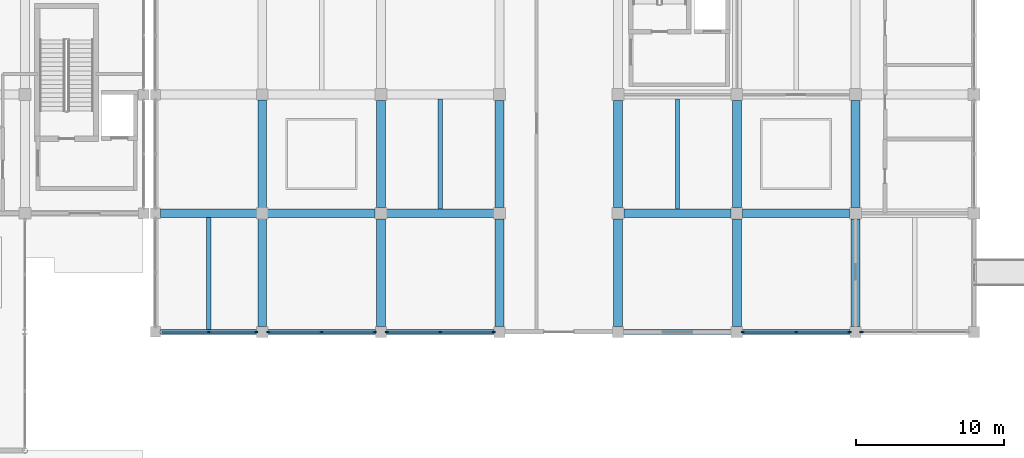
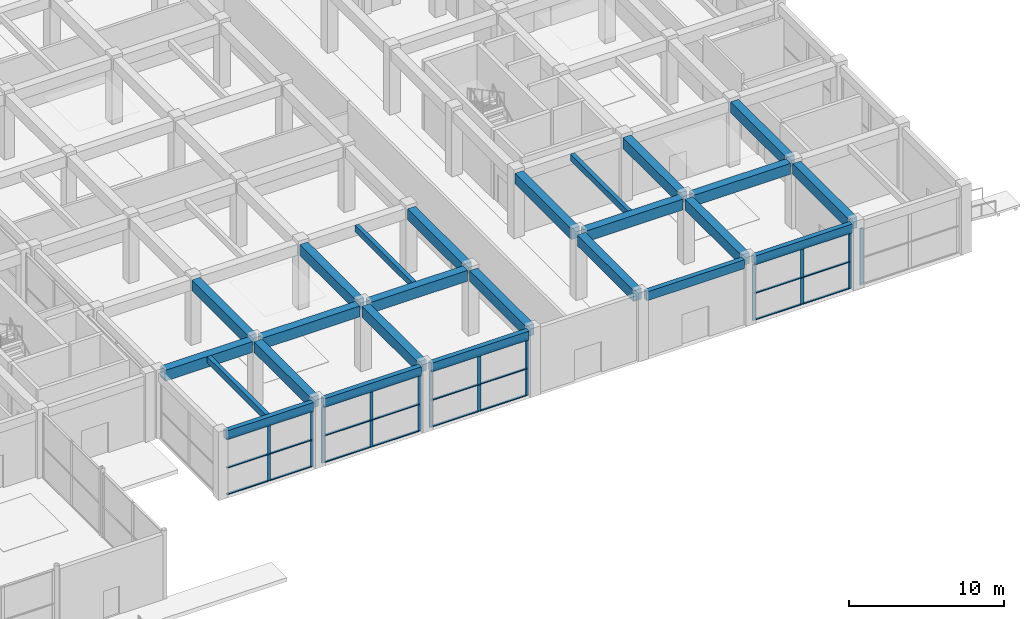
# One storey, part 35 of 86: 36 members, 25 beams, 5 elements without a shape of their own.
"""IFC4 building model written with IfcOpenShell, lengths in metres."""

import ifcopenshell
import ifcopenshell.guid

model = None  # the IFC model being written
_history = None  # IfcOwnerHistory: only IFC2X3 demands one
_inside = {}  # id of a spatial element -> (the spatial element, [elements in it])
_under = {}  # id of a project, library or spatial element -> (it, [spatial elements below it])
_declared = {}  # id of a project -> (the project, [libraries it declares])
_typed = {}  # id of a type object -> (the type object, [elements of that type])
_made_of = {}  # id of a material, layer set ... -> (it, [elements and type objects made of it])


def new_model(schema):
    """Start an empty IFC model of exactly this schema.

    Asked for "IFC4X3", IfcOpenShell would pick the latest addendum, in which some entities
    have other attributes; the version numbers below select the first issue.
    IFC2X3 requires an IfcOwnerHistory on every rooted entity: one is made here for all.
    """
    global model, _history
    if schema == "IFC4X3":
        model = ifcopenshell.file(schema_version=(4, 3, 0, 0))
    else:
        model = ifcopenshell.file(schema=schema)
    _inside.clear()
    _under.clear()
    _declared.clear()
    _typed.clear()
    _made_of.clear()
    _history = None
    if model.schema == "IFC2X3":
        org = make("IfcOrganization", Name="unknown")
        user = make(
            "IfcPersonAndOrganization",
            ThePerson=make("IfcPerson", FamilyName="unknown"),
            TheOrganization=org,
        )
        app = make(
            "IfcApplication",
            ApplicationDeveloper=org,
            Version="unknown",
            ApplicationFullName="unknown",
            ApplicationIdentifier="unknown",
        )
        _history = make(
            "IfcOwnerHistory",
            OwningUser=user,
            OwningApplication=app,
            ChangeAction="ADDED",
            CreationDate=0,
        )
    return model


def make(cls, **values):
    """One entity of the class cls with the attributes given. An attribute that is None is left unset."""
    return model.create_entity(
        cls, **{name: value for name, value in values.items() if value is not None}
    )


def rooted(cls, **values):
    """An entity with a GlobalId (a new one), such as an element, a storey or a relation."""
    return make(cls, GlobalId=ifcopenshell.guid.new(), OwnerHistory=_history, **values)


def si_unit(unit_type, name, prefix=None):
    """IfcSIUnit, for example si_unit("LENGTHUNIT", "METRE", prefix="MILLI")."""
    return make("IfcSIUnit", UnitType=unit_type, Prefix=prefix, Name=name)


def assignment(units):
    """IfcUnitAssignment: the units of a project."""
    return None if units is None else make("IfcUnitAssignment", Units=units)


def point(xyz):
    """IfcCartesianPoint."""
    return None if xyz is None else make("IfcCartesianPoint", Coordinates=xyz)


def direction(xyz):
    """IfcDirection."""
    return None if xyz is None else make("IfcDirection", DirectionRatios=xyz)


def frame(location, z_axis=None, x_axis=None):
    """IfcAxis2Placement3D, a coordinate frame: its origin and axes. An axis left out is left unset."""
    return make(
        "IfcAxis2Placement3D",
        Location=point(location),
        Axis=direction(z_axis),
        RefDirection=direction(x_axis),
    )


def frame_2d(location, x_axis=None):
    """IfcAxis2Placement2D, a coordinate frame in the plane: its origin and x axis."""
    return make(
        "IfcAxis2Placement2D", Location=point(location), RefDirection=direction(x_axis)
    )


def origin():
    """The frame at (0, 0, 0) with its axes left unset."""
    return frame((0.0, 0.0, 0.0))


def origin_2d():
    """The frame at (0, 0) in the plane with its x axis left unset."""
    return frame_2d((0.0, 0.0))


def place(relative_to, where):
    """IfcLocalPlacement: puts the frame where relative to a parent placement (None: the world)."""
    return make(
        "IfcLocalPlacement", PlacementRelTo=relative_to, RelativePlacement=where
    )


def context(
    kind, dimensions, precision=None, world=None, true_north=None, identifier=None
):
    """IfcGeometricRepresentationContext, for example the 3D "Model" context."""
    return make(
        "IfcGeometricRepresentationContext",
        ContextIdentifier=identifier,
        ContextType=kind,
        CoordinateSpaceDimension=dimensions,
        Precision=precision,
        WorldCoordinateSystem=world,
        TrueNorth=true_north,
    )


def subcontext(parent, identifier, kind, view, scale=None):
    """IfcGeometricRepresentationSubContext, for example "Body" below "Model"."""
    return make(
        "IfcGeometricRepresentationSubContext",
        ContextIdentifier=identifier,
        ContextType=kind,
        ParentContext=parent,
        TargetScale=scale,
        TargetView=view,
    )


def project(units=None, contexts=None):
    """IfcProject with its units and contexts."""
    return rooted(
        "IfcProject",
        Name="project",
        RepresentationContexts=contexts,
        UnitsInContext=assignment(units),
    )


def spatial(cls, under=None, at=None, **own):
    """A site, building, storey or space (cls), placed at a placement, below another one or the project."""
    s = rooted(cls, ObjectPlacement=at, **own)
    if under is not None:
        _under.setdefault(under.id(), (under, []))[1].append(s)
    return s


def profile(cls, at=None, kind="AREA", **sizes):
    """A parametric profile (cls). Its sizes go by their IFC names, for example OverallWidth=200.0."""
    return make(cls, ProfileType=kind, Position=at, **sizes)


def rectangle(**sizes):
    """IfcRectangleProfileDef."""
    return profile("IfcRectangleProfileDef", **sizes)


def extrude(swept, where, along, depth):
    """IfcExtrudedAreaSolid: the profile swept, set in the frame where, extruded along a direction by depth."""
    return make(
        "IfcExtrudedAreaSolid",
        SweptArea=swept,
        Position=where,
        ExtrudedDirection=direction(along),
        Depth=depth,
    )


def shape(context_of_items, identifier, shape_type, items):
    """IfcShapeRepresentation: the items that make up one representation, for example the "Body"."""
    return make(
        "IfcShapeRepresentation",
        ContextOfItems=context_of_items,
        RepresentationIdentifier=identifier,
        RepresentationType=shape_type,
        Items=items,
    )


def material(Name=None, Category=None):
    """IfcMaterial."""
    return make("IfcMaterial", Name=Name, Category=Category)


def material_profile(
    of_material, cross_section, Name=None, Category=None, Priority=None
):
    """IfcMaterialProfile: a cross section and its material."""
    return make(
        "IfcMaterialProfile",
        Name=Name,
        Material=of_material,
        Profile=cross_section,
        Priority=Priority,
        Category=Category,
    )


def profile_set(profiles, Name=None, composite=None):
    """IfcMaterialProfileSet."""
    return make(
        "IfcMaterialProfileSet",
        Name=Name,
        MaterialProfiles=profiles,
        CompositeProfile=composite,
    )


def made_of(thing, what):
    """Note that an element or type object is made of a material, layer set ...; save() writes the relation."""
    if what is not None:
        _made_of.setdefault(what.id(), (what, []))[1].append(thing)
    return thing


def type_object(cls, material=None, **own):
    """A type object (cls), such as IfcWallType, which elements share."""
    return made_of(rooted(cls, **own), material)


def element(
    cls,
    number,
    at=None,
    inside=None,
    cuts=None,
    type_object=None,
    material=None,
    context=None,
    identifier="Body",
    shape_type=None,
    held_by="IfcProductDefinitionShape",
    body=None,
    shapes=None,
    **own,
):
    """One element of the class cls, such as IfcWall. Its Tag is "e" and its number.

    at: its placement. inside: the storey or other place that contains it. cuts: it is an
    opening in that element (IfcRelVoidsElement). A single representation is given by context,
    identifier, shape_type and body (its items); several are given by shapes. held_by: the class
    of the entity that holds the representations. save() writes the other relations.
    """
    e = rooted(cls, Tag="e%d" % number, ObjectPlacement=at, **own)
    if body is not None:
        shapes = [shape(context, identifier, shape_type, body)]
    if shapes is not None:
        e.Representation = make(held_by, Representations=shapes)
    if inside is not None:
        _inside.setdefault(inside.id(), (inside, []))[1].append(e)
    if cuts is not None:
        rooted(
            "IfcRelVoidsElement", RelatingBuildingElement=cuts, RelatedOpeningElement=e
        )
    if type_object is not None:
        _typed.setdefault(type_object.id(), (type_object, []))[1].append(e)
    return made_of(e, material)


def aggregate(whole, parts):
    """IfcRelAggregates: a whole, such as a stair, and the parts it consists of."""
    return rooted("IfcRelAggregates", RelatingObject=whole, RelatedObjects=parts)


def save(model, path):
    """Write the relations noted so far, then the file.

    IfcRelAggregates (storeys below a building ...), IfcRelContainedInSpatialStructure (elements
    in a storey), IfcRelDefinesByType, IfcRelAssociatesMaterial and IfcRelDeclares: one each for
    every whole, place, type object, material and project.
    """
    for whole, parts in _under.values():
        aggregate(whole, parts)
    for where, things in _inside.values():
        rooted(
            "IfcRelContainedInSpatialStructure",
            RelatedElements=things,
            RelatingStructure=where,
        )
    for kind, things in _typed.values():
        rooted("IfcRelDefinesByType", RelatedObjects=things, RelatingType=kind)
    for what, things in _made_of.values():
        rooted("IfcRelAssociatesMaterial", RelatedObjects=things, RelatingMaterial=what)
    for by, libraries in _declared.values():
        rooted("IfcRelDeclares", RelatingContext=by, RelatedDefinitions=libraries)
    model.write(path)


model = new_model("IFC4")

# Units and contexts
model_context = context("Model", 3, precision=1e-05, world=origin(), true_north=direction((0.0, 1.0)))
body_context = subcontext(model_context, "Body", "Model", "MODEL_VIEW")
ifc_project = project(units=[si_unit("LENGTHUNIT", "METRE"), si_unit("AREAUNIT", "SQUARE_METRE"), si_unit("VOLUMEUNIT", "CUBIC_METRE"), si_unit("PLANEANGLEUNIT", "RADIAN"), si_unit("MASSUNIT", "GRAM", prefix="KILO")], contexts=[model_context])

# Site, building, storey
site_placement = place(None, origin())
site = spatial("IfcSite", under=ifc_project, at=site_placement, CompositionType="ELEMENT")
building_placement = place(site_placement, origin())
building = spatial("IfcBuilding", under=site, at=building_placement, Name="Kenh Van Central Station", CompositionType="ELEMENT")
storey_placement = place(building_placement, origin())
storey = spatial("IfcBuildingStorey", under=building, at=storey_placement, Name="L00", CompositionType="ELEMENT", Elevation=0.0)

# Beams
ifc_material_1 = material(Name="Concrete C35/45", Category="concrete")
ifc_material_profile_1 = material_profile(ifc_material_1, rectangle(XDim=0.60009765625, YDim=0.85009765625, at=origin_2d()), Name="RC 600x850")
ifc_profile_set_1 = profile_set([ifc_material_profile_1], Name="Concrete C35/45")
beam_type_1 = type_object("IfcBeamType", Name="BM-RC-600x850", PredefinedType="BEAM", material=ifc_profile_set_1)
beam_1_placement = place(storey_placement, frame((121.139892578125, 16.0, 4.695068359375), z_axis=(1.0, 0.0, 0.0), x_axis=(0.0, 1.0, 0.0)))
element("IfcBeam", 1, at=beam_1_placement, inside=storey, type_object=beam_type_1, Name="L00 beam 0373", PredefinedType="BEAM", context=body_context, shape_type="SweptSolid", body=[
    extrude(rectangle(XDim=0.60009765625, YDim=0.85009765625, at=origin_2d()), origin(), (0.0, 0.0, 1.0), 6.4951171875),
])
beam_2_placement = place(storey_placement, frame((128.364990234375, 16.0, 4.695068359375), z_axis=(1.0, 0.0, 0.0), x_axis=(0.0, 1.0, 0.0)))
element("IfcBeam", 2, at=beam_2_placement, inside=storey, type_object=beam_type_1, Name="L00 beam 0374", PredefinedType="BEAM", context=body_context, shape_type="SweptSolid", body=[
    extrude(rectangle(XDim=0.60009765625, YDim=0.85009765625, at=origin_2d()), origin(), (0.0, 0.0, 1.0), 7.2451171875),
])
for number, where, z_axis, x_axis, name in (
    (3, (136.389892578125, 16.0, 4.695068359375), (1.0, 0.0, 0.0), (0.0, 1.0, 0.0), "L00 beam 0375"),
    (4, (152.389892578125, 16.0, 4.695068359375), (1.0, 0.0, 0.0), (0.0, 1.0, 0.0), "L00 beam 0376"),
    (5, (160.389892578125, 16.0, 4.695068359375), (1.0, 0.0, 0.0), (0.0, 1.0, 0.0), "L00 beam 0377"),
):
    element("IfcBeam", number, at=place(storey_placement, frame(where, z_axis=z_axis, x_axis=x_axis)), inside=storey, type_object=beam_type_1, Name=name, PredefinedType="BEAM", context=body_context, shape_type="SweptSolid", body=[
        extrude(rectangle(XDim=0.60009765625, YDim=0.85009765625, at=origin_2d()), origin(), (0.0, 0.0, 1.0), 7.22021484375),
    ])
for number, where, z_axis, x_axis, name in (
    (6, (128.0, 8.364990234375, 4.695068359375), (0.0, 1.0, 0.0), (-1.0, 0.0, 0.0), "L00 beam 0519"),
    (7, (128.0, 16.364990234375, 4.695068359375), (0.0, 1.0, 0.0), (-1.0, 0.0, 0.0), "L00 beam 0520"),
):
    element("IfcBeam", number, at=place(storey_placement, frame(where, z_axis=z_axis, x_axis=x_axis)), inside=storey, type_object=beam_type_1, Name=name, PredefinedType="BEAM", context=body_context, shape_type="SweptSolid", body=[
        extrude(rectangle(XDim=0.60009765625, YDim=0.85009765625, at=origin_2d()), origin(), (0.0, 0.0, 1.0), 7.27001953125),
    ])
beam_3_placement = place(storey_placement, frame((136.0, 8.364990234375, 4.695068359375), z_axis=(0.0, 1.0, 0.0), x_axis=(-1.0, 0.0, 0.0)))
element("IfcBeam", 8, at=beam_3_placement, inside=storey, type_object=beam_type_1, Name="L00 beam 0526", PredefinedType="BEAM", context=body_context, shape_type="SweptSolid", body=[
    extrude(rectangle(XDim=0.60009765625, YDim=0.85009765625, at=origin_2d()), origin(), (0.0, 0.0, 1.0), 7.2451171875),
])
beam_4_placement = place(storey_placement, frame((136.0, 16.389892578125, 4.695068359375), z_axis=(0.0, 1.0, 0.0), x_axis=(-1.0, 0.0, 0.0)))
element("IfcBeam", 9, at=beam_4_placement, inside=storey, type_object=beam_type_1, Name="L00 beam 0527", PredefinedType="BEAM", context=body_context, shape_type="SweptSolid", body=[
    extrude(rectangle(XDim=0.60009765625, YDim=0.85009765625, at=origin_2d()), origin(), (0.0, 0.0, 1.0), 7.22021484375),
])
beam_5_placement = place(storey_placement, frame((144.0, 8.364990234375, 4.695068359375), z_axis=(0.0, 1.0, 0.0), x_axis=(-1.0, 0.0, 0.0)))
element("IfcBeam", 10, at=beam_5_placement, inside=storey, type_object=beam_type_1, Name="L00 beam 0533", PredefinedType="BEAM", context=body_context, shape_type="SweptSolid", body=[
    extrude(rectangle(XDim=0.60009765625, YDim=0.85009765625, at=origin_2d()), origin(), (0.0, 0.0, 1.0), 7.2451171875),
])
beam_6_placement = place(storey_placement, frame((144.0, 16.389892578125, 4.695068359375), z_axis=(0.0, 1.0, 0.0), x_axis=(-1.0, 0.0, 0.0)))
element("IfcBeam", 11, at=beam_6_placement, inside=storey, type_object=beam_type_1, Name="L00 beam 0534", PredefinedType="BEAM", context=body_context, shape_type="SweptSolid", body=[
    extrude(rectangle(XDim=0.60009765625, YDim=0.85009765625, at=origin_2d()), origin(), (0.0, 0.0, 1.0), 7.22021484375),
])
beam_7_placement = place(storey_placement, frame((152.0, 8.364990234375, 4.695068359375), z_axis=(0.0, 1.0, 0.0), x_axis=(-1.0, 0.0, 0.0)))
element("IfcBeam", 12, at=beam_7_placement, inside=storey, type_object=beam_type_1, Name="L00 beam 0544", PredefinedType="BEAM", context=body_context, shape_type="SweptSolid", body=[
    extrude(rectangle(XDim=0.60009765625, YDim=0.85009765625, at=origin_2d()), origin(), (0.0, 0.0, 1.0), 7.2451171875),
])
beam_8_placement = place(storey_placement, frame((152.0, 16.389892578125, 4.695068359375), z_axis=(0.0, 1.0, 0.0), x_axis=(-1.0, 0.0, 0.0)))
element("IfcBeam", 13, at=beam_8_placement, inside=storey, type_object=beam_type_1, Name="L00 beam 0545", PredefinedType="BEAM", context=body_context, shape_type="SweptSolid", body=[
    extrude(rectangle(XDim=0.60009765625, YDim=0.85009765625, at=origin_2d()), origin(), (0.0, 0.0, 1.0), 7.22021484375),
])
beam_9_placement = place(storey_placement, frame((160.0, 8.364990234375, 4.695068359375), z_axis=(0.0, 1.0, 0.0), x_axis=(-1.0, 0.0, 0.0)))
element("IfcBeam", 14, at=beam_9_placement, inside=storey, type_object=beam_type_1, Name="L00 beam 0555", PredefinedType="BEAM", context=body_context, shape_type="SweptSolid", body=[
    extrude(rectangle(XDim=0.60009765625, YDim=0.85009765625, at=origin_2d()), origin(), (0.0, 0.0, 1.0), 7.2451171875),
])
beam_10_placement = place(storey_placement, frame((160.0, 16.389892578125, 4.695068359375), z_axis=(0.0, 1.0, 0.0), x_axis=(-1.0, 0.0, 0.0)))
element("IfcBeam", 15, at=beam_10_placement, inside=storey, type_object=beam_type_1, Name="L00 beam 0556", PredefinedType="BEAM", context=body_context, shape_type="SweptSolid", body=[
    extrude(rectangle(XDim=0.60009765625, YDim=0.85009765625, at=origin_2d()), origin(), (0.0, 0.0, 1.0), 7.22021484375),
])
beam_11_placement = place(storey_placement, frame((168.0, 8.364990234375, 4.695068359375), z_axis=(0.0, 1.0, 0.0), x_axis=(-1.0, 0.0, 0.0)))
element("IfcBeam", 16, at=beam_11_placement, inside=storey, type_object=beam_type_1, Name="L00 beam 0566", PredefinedType="BEAM", context=body_context, shape_type="SweptSolid", body=[
    extrude(rectangle(XDim=0.60009765625, YDim=0.85009765625, at=origin_2d()), origin(), (0.0, 0.0, 1.0), 7.2451171875),
])
beam_12_placement = place(storey_placement, frame((168.0, 16.389892578125, 4.695068359375), z_axis=(0.0, 1.0, 0.0), x_axis=(-1.0, 0.0, 0.0)))
element("IfcBeam", 17, at=beam_12_placement, inside=storey, type_object=beam_type_1, Name="L00 beam 0567", PredefinedType="BEAM", context=body_context, shape_type="SweptSolid", body=[
    extrude(rectangle(XDim=0.60009765625, YDim=0.85009765625, at=origin_2d()), origin(), (0.0, 0.0, 1.0), 7.22021484375),
])

# Curtain wall, members
ifc_material_2 = material(Name="Champagne anodised aluminium", Category="aluminium")
curtain_wall_type = type_object("IfcCurtainWallType", Name="CW-OPER-A", PredefinedType="NOTDEFINED", material=ifc_material_2)
curtain_wall_1_placement = place(storey_placement, origin())
curtain_wall_1 = element("IfcCurtainWall", 18, at=curtain_wall_1_placement, inside=storey, type_object=curtain_wall_type, Name="L00 curtain wall 049", PredefinedType="NOTDEFINED")
ifc_material_profile_2 = material_profile(ifc_material_2, rectangle(XDim=0.087890625, YDim=0.239990234375, at=origin_2d()), Name="AL 88x240")
ifc_profile_set_2 = profile_set([ifc_material_profile_2], Name="Champagne anodised aluminium")
member_type_1 = type_object("IfcMemberType", Name="CWM-60x140", PredefinedType="MULLION", material=ifc_profile_set_2)
member_1_placement = place(storey_placement, frame((124.387451171875, 8.0, 0.0), z_axis=(0.0, 0.0, 1.0), x_axis=(0.0, 1.0, 0.0)))
member_1 = element("IfcMember", 19, at=member_1_placement, type_object=member_type_1, Name="CW-07 mullion 2", PredefinedType="MULLION", context=body_context, shape_type="SweptSolid", body=[
    extrude(rectangle(XDim=0.087890625, YDim=0.239990234375, at=origin_2d()), origin(), (0.0, 0.0, 1.0), 4.419921875),
])
member_2_placement = place(storey_placement, frame((127.5810546875, 8.0, 0.0), z_axis=(0.0, 0.0, 1.0), x_axis=(0.0, 1.0, 0.0)))
member_2 = element("IfcMember", 20, at=member_2_placement, type_object=member_type_1, Name="CW-07 mullion 3", PredefinedType="MULLION", context=body_context, shape_type="SweptSolid", body=[
    extrude(rectangle(XDim=0.087890625, YDim=0.239990234375, at=origin_2d()), origin(), (0.0, 0.0, 1.0), 4.419921875),
])

curtain_wall_2_placement = place(storey_placement, origin())
curtain_wall_2 = element("IfcCurtainWall", 21, at=curtain_wall_2_placement, inside=storey, type_object=curtain_wall_type, Name="L00 curtain wall 050", PredefinedType="NOTDEFINED")
member_3_placement = place(storey_placement, frame((128.4189453125, 8.0, 0.0), z_axis=(0.0, 0.0, 1.0), x_axis=(0.0, 1.0, 0.0)))
member_3 = element("IfcMember", 22, at=member_3_placement, type_object=member_type_1, Name="CW-07 mullion 1", PredefinedType="MULLION", context=body_context, shape_type="SweptSolid", body=[
    extrude(rectangle(XDim=0.087890625, YDim=0.239990234375, at=origin_2d()), origin(), (0.0, 0.0, 1.0), 4.419921875),
])
member_4_placement = place(storey_placement, frame((132.0, 8.0, 0.0), z_axis=(0.0, 0.0, 1.0), x_axis=(0.0, 1.0, 0.0)))
member_4 = element("IfcMember", 23, at=member_4_placement, type_object=member_type_1, Name="CW-07 mullion 2", PredefinedType="MULLION", context=body_context, shape_type="SweptSolid", body=[
    extrude(rectangle(XDim=0.087890625, YDim=0.239990234375, at=origin_2d()), origin(), (0.0, 0.0, 1.0), 4.419921875),
])
member_5_placement = place(storey_placement, frame((135.5810546875, 8.0, 0.0), z_axis=(0.0, 0.0, 1.0), x_axis=(0.0, 1.0, 0.0)))
member_5 = element("IfcMember", 24, at=member_5_placement, type_object=member_type_1, Name="CW-07 mullion 3", PredefinedType="MULLION", context=body_context, shape_type="SweptSolid", body=[
    extrude(rectangle(XDim=0.087890625, YDim=0.239990234375, at=origin_2d()), origin(), (0.0, 0.0, 1.0), 4.419921875),
])

curtain_wall_3_placement = place(storey_placement, origin())
curtain_wall_3 = element("IfcCurtainWall", 25, at=curtain_wall_3_placement, inside=storey, type_object=curtain_wall_type, Name="L00 curtain wall 051", PredefinedType="NOTDEFINED")
member_6_placement = place(storey_placement, frame((136.4189453125, 8.0, 0.0), z_axis=(0.0, 0.0, 1.0), x_axis=(0.0, 1.0, 0.0)))
member_6 = element("IfcMember", 26, at=member_6_placement, type_object=member_type_1, Name="CW-07 mullion 1", PredefinedType="MULLION", context=body_context, shape_type="SweptSolid", body=[
    extrude(rectangle(XDim=0.087890625, YDim=0.239990234375, at=origin_2d()), origin(), (0.0, 0.0, 1.0), 4.419921875),
])
member_7_placement = place(storey_placement, frame((140.0, 8.0, 0.0), z_axis=(0.0, 0.0, 1.0), x_axis=(0.0, 1.0, 0.0)))
member_7 = element("IfcMember", 27, at=member_7_placement, type_object=member_type_1, Name="CW-07 mullion 2", PredefinedType="MULLION", context=body_context, shape_type="SweptSolid", body=[
    extrude(rectangle(XDim=0.087890625, YDim=0.239990234375, at=origin_2d()), origin(), (0.0, 0.0, 1.0), 4.419921875),
])
member_8_placement = place(storey_placement, frame((143.5810546875, 8.0, 0.0), z_axis=(0.0, 0.0, 1.0), x_axis=(0.0, 1.0, 0.0)))
member_8 = element("IfcMember", 28, at=member_8_placement, type_object=member_type_1, Name="CW-07 mullion 3", PredefinedType="MULLION", context=body_context, shape_type="SweptSolid", body=[
    extrude(rectangle(XDim=0.087890625, YDim=0.239990234375, at=origin_2d()), origin(), (0.0, 0.0, 1.0), 4.419921875),
])

curtain_wall_4_placement = place(storey_placement, origin())
curtain_wall_4 = element("IfcCurtainWall", 29, at=curtain_wall_4_placement, inside=storey, type_object=curtain_wall_type, Name="L00 curtain wall 052", PredefinedType="NOTDEFINED")
member_9_placement = place(storey_placement, frame((160.4189453125, 8.0, 0.0), z_axis=(0.0, 0.0, 1.0), x_axis=(0.0, 1.0, 0.0)))
member_9 = element("IfcMember", 30, at=member_9_placement, type_object=member_type_1, Name="CW-07 mullion 1", PredefinedType="MULLION", context=body_context, shape_type="SweptSolid", body=[
    extrude(rectangle(XDim=0.087890625, YDim=0.239990234375, at=origin_2d()), origin(), (0.0, 0.0, 1.0), 4.419921875),
])
member_10_placement = place(storey_placement, frame((164.0, 8.0, 0.0), z_axis=(0.0, 0.0, 1.0), x_axis=(0.0, 1.0, 0.0)))
member_10 = element("IfcMember", 31, at=member_10_placement, type_object=member_type_1, Name="CW-07 mullion 2", PredefinedType="MULLION", context=body_context, shape_type="SweptSolid", body=[
    extrude(rectangle(XDim=0.087890625, YDim=0.239990234375, at=origin_2d()), origin(), (0.0, 0.0, 1.0), 4.419921875),
])
member_11_placement = place(storey_placement, frame((167.5810546875, 8.0, 0.0), z_axis=(0.0, 0.0, 1.0), x_axis=(0.0, 1.0, 0.0)))
member_11 = element("IfcMember", 32, at=member_11_placement, type_object=member_type_1, Name="CW-07 mullion 3", PredefinedType="MULLION", context=body_context, shape_type="SweptSolid", body=[
    extrude(rectangle(XDim=0.087890625, YDim=0.239990234375, at=origin_2d()), origin(), (0.0, 0.0, 1.0), 4.419921875),
])

# Curtain wall, member
curtain_wall_5_placement = place(storey_placement, origin())
curtain_wall_5 = element("IfcCurtainWall", 33, at=curtain_wall_5_placement, inside=storey, type_object=curtain_wall_type, Name="L00 curtain wall 053", PredefinedType="NOTDEFINED")
member_12_placement = place(storey_placement, frame((168.4189453125, 8.0, 0.0), z_axis=(0.0, 0.0, 1.0), x_axis=(0.0, 1.0, 0.0)))
member_12 = element("IfcMember", 34, at=member_12_placement, type_object=member_type_1, Name="CW-07 mullion 1", PredefinedType="MULLION", context=body_context, shape_type="SweptSolid", body=[
    extrude(rectangle(XDim=0.087890625, YDim=0.239990234375, at=origin_2d()), origin(), (0.0, 0.0, 1.0), 4.419921875),
])
aggregate(curtain_wall_5, [member_12])

# Member
ifc_material_profile_3 = material_profile(ifc_material_2, rectangle(XDim=0.155029296875, YDim=0.072021484375, at=origin_2d()), Name="AL 155x72")
ifc_profile_set_3 = profile_set([ifc_material_profile_3], Name="Champagne anodised aluminium")
member_type_2 = type_object("IfcMemberType", Name="CWT-120x60", PredefinedType="USERDEFINED", material=ifc_profile_set_3)
member_13_placement = place(storey_placement, frame((121.238037109375, 8.0, 0.035888671875), z_axis=(1.0, 0.0, 0.0), x_axis=(0.0, 1.0, 0.0)))
member_13 = element("IfcMember", 35, at=member_13_placement, type_object=member_type_2, Name="CW-07 transom 1.1", ObjectType="TRANSOM", PredefinedType="USERDEFINED", context=body_context, shape_type="SweptSolid", body=[
    extrude(rectangle(XDim=0.155029296875, YDim=0.072021484375, at=origin_2d()), origin(), (0.0, 0.0, 1.0), 3.10546875),
])

member_14_placement = place(storey_placement, frame((121.238037109375, 8.0, 2.12158203125), z_axis=(1.0, 0.0, 0.0), x_axis=(0.0, 1.0, 0.0)))
member_14 = element("IfcMember", 36, at=member_14_placement, type_object=member_type_2, Name="CW-07 transom 1.2", ObjectType="TRANSOM", PredefinedType="USERDEFINED", context=body_context, shape_type="SweptSolid", body=[
    extrude(rectangle(XDim=0.155029296875, YDim=0.072021484375, at=origin_2d()), origin(), (0.0, 0.0, 1.0), 3.10546875),
])

member_15_placement = place(storey_placement, frame((121.238037109375, 8.0, 4.384033203125), z_axis=(1.0, 0.0, 0.0), x_axis=(0.0, 1.0, 0.0)))
member_15 = element("IfcMember", 37, at=member_15_placement, type_object=member_type_2, Name="CW-07 transom 1.3", ObjectType="TRANSOM", PredefinedType="USERDEFINED", context=body_context, shape_type="SweptSolid", body=[
    extrude(rectangle(XDim=0.155029296875, YDim=0.072021484375, at=origin_2d()), origin(), (0.0, 0.0, 1.0), 3.10546875),
])

member_16_placement = place(storey_placement, frame((124.431396484375, 8.0, 0.035888671875), z_axis=(1.0, 0.0, 0.0), x_axis=(0.0, 1.0, 0.0)))
member_16 = element("IfcMember", 38, at=member_16_placement, type_object=member_type_2, Name="CW-07 transom 2.1", ObjectType="TRANSOM", PredefinedType="USERDEFINED", context=body_context, shape_type="SweptSolid", body=[
    extrude(rectangle(XDim=0.155029296875, YDim=0.072021484375, at=origin_2d()), origin(), (0.0, 0.0, 1.0), 3.105712890625),
])

member_17_placement = place(storey_placement, frame((124.431396484375, 8.0, 2.12158203125), z_axis=(1.0, 0.0, 0.0), x_axis=(0.0, 1.0, 0.0)))
member_17 = element("IfcMember", 39, at=member_17_placement, type_object=member_type_2, Name="CW-07 transom 2.2", ObjectType="TRANSOM", PredefinedType="USERDEFINED", context=body_context, shape_type="SweptSolid", body=[
    extrude(rectangle(XDim=0.155029296875, YDim=0.072021484375, at=origin_2d()), origin(), (0.0, 0.0, 1.0), 3.105712890625),
])

member_18_placement = place(storey_placement, frame((124.431396484375, 8.0, 4.384033203125), z_axis=(1.0, 0.0, 0.0), x_axis=(0.0, 1.0, 0.0)))
member_18 = element("IfcMember", 40, at=member_18_placement, type_object=member_type_2, Name="CW-07 transom 2.3", ObjectType="TRANSOM", PredefinedType="USERDEFINED", context=body_context, shape_type="SweptSolid", body=[
    extrude(rectangle(XDim=0.155029296875, YDim=0.072021484375, at=origin_2d()), origin(), (0.0, 0.0, 1.0), 3.105712890625),
])

aggregate(curtain_wall_1, [member_1, member_2, member_13, member_14, member_15, member_16, member_17, member_18])

member_19_placement = place(storey_placement, frame((128.462890625, 8.0, 0.035888671875), z_axis=(1.0, 0.0, 0.0), x_axis=(0.0, 1.0, 0.0)))
member_19 = element("IfcMember", 41, at=member_19_placement, type_object=member_type_2, Name="CW-07 transom 1.1", ObjectType="TRANSOM", PredefinedType="USERDEFINED", context=body_context, shape_type="SweptSolid", body=[
    extrude(rectangle(XDim=0.155029296875, YDim=0.072021484375, at=origin_2d()), origin(), (0.0, 0.0, 1.0), 3.4931640625),
])

member_20_placement = place(storey_placement, frame((128.462890625, 8.0, 2.12158203125), z_axis=(1.0, 0.0, 0.0), x_axis=(0.0, 1.0, 0.0)))
member_20 = element("IfcMember", 42, at=member_20_placement, type_object=member_type_2, Name="CW-07 transom 1.2", ObjectType="TRANSOM", PredefinedType="USERDEFINED", context=body_context, shape_type="SweptSolid", body=[
    extrude(rectangle(XDim=0.155029296875, YDim=0.072021484375, at=origin_2d()), origin(), (0.0, 0.0, 1.0), 3.4931640625),
])

member_21_placement = place(storey_placement, frame((128.462890625, 8.0, 4.384033203125), z_axis=(1.0, 0.0, 0.0), x_axis=(0.0, 1.0, 0.0)))
member_21 = element("IfcMember", 43, at=member_21_placement, type_object=member_type_2, Name="CW-07 transom 1.3", ObjectType="TRANSOM", PredefinedType="USERDEFINED", context=body_context, shape_type="SweptSolid", body=[
    extrude(rectangle(XDim=0.155029296875, YDim=0.072021484375, at=origin_2d()), origin(), (0.0, 0.0, 1.0), 3.4931640625),
])

member_22_placement = place(storey_placement, frame((132.0439453125, 8.0, 0.035888671875), z_axis=(1.0, 0.0, 0.0), x_axis=(0.0, 1.0, 0.0)))
member_22 = element("IfcMember", 44, at=member_22_placement, type_object=member_type_2, Name="CW-07 transom 2.1", ObjectType="TRANSOM", PredefinedType="USERDEFINED", context=body_context, shape_type="SweptSolid", body=[
    extrude(rectangle(XDim=0.155029296875, YDim=0.072021484375, at=origin_2d()), origin(), (0.0, 0.0, 1.0), 3.4931640625),
])

member_23_placement = place(storey_placement, frame((132.0439453125, 8.0, 2.12158203125), z_axis=(1.0, 0.0, 0.0), x_axis=(0.0, 1.0, 0.0)))
member_23 = element("IfcMember", 45, at=member_23_placement, type_object=member_type_2, Name="CW-07 transom 2.2", ObjectType="TRANSOM", PredefinedType="USERDEFINED", context=body_context, shape_type="SweptSolid", body=[
    extrude(rectangle(XDim=0.155029296875, YDim=0.072021484375, at=origin_2d()), origin(), (0.0, 0.0, 1.0), 3.4931640625),
])

member_24_placement = place(storey_placement, frame((132.0439453125, 8.0, 4.384033203125), z_axis=(1.0, 0.0, 0.0), x_axis=(0.0, 1.0, 0.0)))
member_24 = element("IfcMember", 46, at=member_24_placement, type_object=member_type_2, Name="CW-07 transom 2.3", ObjectType="TRANSOM", PredefinedType="USERDEFINED", context=body_context, shape_type="SweptSolid", body=[
    extrude(rectangle(XDim=0.155029296875, YDim=0.072021484375, at=origin_2d()), origin(), (0.0, 0.0, 1.0), 3.4931640625),
])

aggregate(curtain_wall_2, [member_3, member_4, member_5, member_19, member_20, member_21, member_22, member_23, member_24])

member_25_placement = place(storey_placement, frame((136.462890625, 8.0, 0.035888671875), z_axis=(1.0, 0.0, 0.0), x_axis=(0.0, 1.0, 0.0)))
member_25 = element("IfcMember", 47, at=member_25_placement, type_object=member_type_2, Name="CW-07 transom 1.1", ObjectType="TRANSOM", PredefinedType="USERDEFINED", context=body_context, shape_type="SweptSolid", body=[
    extrude(rectangle(XDim=0.155029296875, YDim=0.072021484375, at=origin_2d()), origin(), (0.0, 0.0, 1.0), 3.4931640625),
])

member_26_placement = place(storey_placement, frame((136.462890625, 8.0, 2.12158203125), z_axis=(1.0, 0.0, 0.0), x_axis=(0.0, 1.0, 0.0)))
member_26 = element("IfcMember", 48, at=member_26_placement, type_object=member_type_2, Name="CW-07 transom 1.2", ObjectType="TRANSOM", PredefinedType="USERDEFINED", context=body_context, shape_type="SweptSolid", body=[
    extrude(rectangle(XDim=0.155029296875, YDim=0.072021484375, at=origin_2d()), origin(), (0.0, 0.0, 1.0), 3.4931640625),
])

member_27_placement = place(storey_placement, frame((136.462890625, 8.0, 4.384033203125), z_axis=(1.0, 0.0, 0.0), x_axis=(0.0, 1.0, 0.0)))
member_27 = element("IfcMember", 49, at=member_27_placement, type_object=member_type_2, Name="CW-07 transom 1.3", ObjectType="TRANSOM", PredefinedType="USERDEFINED", context=body_context, shape_type="SweptSolid", body=[
    extrude(rectangle(XDim=0.155029296875, YDim=0.072021484375, at=origin_2d()), origin(), (0.0, 0.0, 1.0), 3.4931640625),
])

member_28_placement = place(storey_placement, frame((140.0439453125, 8.0, 0.035888671875), z_axis=(1.0, 0.0, 0.0), x_axis=(0.0, 1.0, 0.0)))
member_28 = element("IfcMember", 50, at=member_28_placement, type_object=member_type_2, Name="CW-07 transom 2.1", ObjectType="TRANSOM", PredefinedType="USERDEFINED", context=body_context, shape_type="SweptSolid", body=[
    extrude(rectangle(XDim=0.155029296875, YDim=0.072021484375, at=origin_2d()), origin(), (0.0, 0.0, 1.0), 3.4931640625),
])

member_29_placement = place(storey_placement, frame((140.0439453125, 8.0, 2.12158203125), z_axis=(1.0, 0.0, 0.0), x_axis=(0.0, 1.0, 0.0)))
member_29 = element("IfcMember", 51, at=member_29_placement, type_object=member_type_2, Name="CW-07 transom 2.2", ObjectType="TRANSOM", PredefinedType="USERDEFINED", context=body_context, shape_type="SweptSolid", body=[
    extrude(rectangle(XDim=0.155029296875, YDim=0.072021484375, at=origin_2d()), origin(), (0.0, 0.0, 1.0), 3.4931640625),
])

member_30_placement = place(storey_placement, frame((140.0439453125, 8.0, 4.384033203125), z_axis=(1.0, 0.0, 0.0), x_axis=(0.0, 1.0, 0.0)))
member_30 = element("IfcMember", 52, at=member_30_placement, type_object=member_type_2, Name="CW-07 transom 2.3", ObjectType="TRANSOM", PredefinedType="USERDEFINED", context=body_context, shape_type="SweptSolid", body=[
    extrude(rectangle(XDim=0.155029296875, YDim=0.072021484375, at=origin_2d()), origin(), (0.0, 0.0, 1.0), 3.4931640625),
])

aggregate(curtain_wall_3, [member_6, member_7, member_8, member_25, member_26, member_27, member_28, member_29, member_30])

member_31_placement = place(storey_placement, frame((160.462890625, 8.0, 0.035888671875), z_axis=(1.0, 0.0, 0.0), x_axis=(0.0, 1.0, 0.0)))
member_31 = element("IfcMember", 53, at=member_31_placement, type_object=member_type_2, Name="CW-07 transom 1.1", ObjectType="TRANSOM", PredefinedType="USERDEFINED", context=body_context, shape_type="SweptSolid", body=[
    extrude(rectangle(XDim=0.155029296875, YDim=0.072021484375, at=origin_2d()), origin(), (0.0, 0.0, 1.0), 3.4931640625),
])

member_32_placement = place(storey_placement, frame((160.462890625, 8.0, 2.12158203125), z_axis=(1.0, 0.0, 0.0), x_axis=(0.0, 1.0, 0.0)))
member_32 = element("IfcMember", 54, at=member_32_placement, type_object=member_type_2, Name="CW-07 transom 1.2", ObjectType="TRANSOM", PredefinedType="USERDEFINED", context=body_context, shape_type="SweptSolid", body=[
    extrude(rectangle(XDim=0.155029296875, YDim=0.072021484375, at=origin_2d()), origin(), (0.0, 0.0, 1.0), 3.4931640625),
])

member_33_placement = place(storey_placement, frame((160.462890625, 8.0, 4.384033203125), z_axis=(1.0, 0.0, 0.0), x_axis=(0.0, 1.0, 0.0)))
member_33 = element("IfcMember", 55, at=member_33_placement, type_object=member_type_2, Name="CW-07 transom 1.3", ObjectType="TRANSOM", PredefinedType="USERDEFINED", context=body_context, shape_type="SweptSolid", body=[
    extrude(rectangle(XDim=0.155029296875, YDim=0.072021484375, at=origin_2d()), origin(), (0.0, 0.0, 1.0), 3.4931640625),
])

member_34_placement = place(storey_placement, frame((164.0439453125, 8.0, 0.035888671875), z_axis=(1.0, 0.0, 0.0), x_axis=(0.0, 1.0, 0.0)))
member_34 = element("IfcMember", 56, at=member_34_placement, type_object=member_type_2, Name="CW-07 transom 2.1", ObjectType="TRANSOM", PredefinedType="USERDEFINED", context=body_context, shape_type="SweptSolid", body=[
    extrude(rectangle(XDim=0.155029296875, YDim=0.072021484375, at=origin_2d()), origin(), (0.0, 0.0, 1.0), 3.4931640625),
])

member_35_placement = place(storey_placement, frame((164.0439453125, 8.0, 2.12158203125), z_axis=(1.0, 0.0, 0.0), x_axis=(0.0, 1.0, 0.0)))
member_35 = element("IfcMember", 57, at=member_35_placement, type_object=member_type_2, Name="CW-07 transom 2.2", ObjectType="TRANSOM", PredefinedType="USERDEFINED", context=body_context, shape_type="SweptSolid", body=[
    extrude(rectangle(XDim=0.155029296875, YDim=0.072021484375, at=origin_2d()), origin(), (0.0, 0.0, 1.0), 3.4931640625),
])

member_36_placement = place(storey_placement, frame((164.0439453125, 8.0, 4.384033203125), z_axis=(1.0, 0.0, 0.0), x_axis=(0.0, 1.0, 0.0)))
member_36 = element("IfcMember", 58, at=member_36_placement, type_object=member_type_2, Name="CW-07 transom 2.3", ObjectType="TRANSOM", PredefinedType="USERDEFINED", context=body_context, shape_type="SweptSolid", body=[
    extrude(rectangle(XDim=0.155029296875, YDim=0.072021484375, at=origin_2d()), origin(), (0.0, 0.0, 1.0), 3.4931640625),
])

aggregate(curtain_wall_4, [member_9, member_10, member_11, member_31, member_32, member_33, member_34, member_35, member_36])

# Beams
ifc_material_profile_4 = material_profile(ifc_material_1, rectangle(XDim=0.300048828125, YDim=0.5, at=origin_2d()), Name="RC 300x500")
ifc_profile_set_4 = profile_set([ifc_material_profile_4], Name="Concrete C35/45")
beam_type_2 = type_object("IfcBeamType", Name="JST-RC-300x500", PredefinedType="JOIST", material=ifc_profile_set_4)
beam_13_placement = place(storey_placement, frame((124.39990234375, 8.175048828125, 4.8701171875), z_axis=(0.0, 1.0, 0.0), x_axis=(-1.0, 0.0, 0.0)))
element("IfcBeam", 59, at=beam_13_placement, inside=storey, type_object=beam_type_2, Name="L00 floor joist 0600", PredefinedType="JOIST", context=body_context, shape_type="SweptSolid", body=[
    extrude(rectangle(XDim=0.300048828125, YDim=0.5, at=origin_2d()), origin(), (0.0, 0.0, 1.0), 7.52490234375),
])
for number, where, z_axis, x_axis, name in (
    (60, (140.0, 16.300048828125, 4.8701171875), (0.0, 1.0, 0.0), (-1.0, 0.0, 0.0), "L00 floor joist 0604"),
    (61, (156.0, 16.300048828125, 4.8701171875), (0.0, 1.0, 0.0), (-1.0, 0.0, 0.0), "L00 floor joist 0606"),
):
    element("IfcBeam", number, at=place(storey_placement, frame(where, z_axis=z_axis, x_axis=x_axis)), inside=storey, type_object=beam_type_2, Name=name, PredefinedType="JOIST", context=body_context, shape_type="SweptSolid", body=[
        extrude(rectangle(XDim=0.300048828125, YDim=0.5, at=origin_2d()), origin(), (0.0, 0.0, 1.0), 7.39990234375),
    ])
ifc_material_profile_5 = material_profile(ifc_material_1, rectangle(XDim=0.35009765625, YDim=0.699951171875, at=origin_2d()), Name="RC 350x700")
ifc_profile_set_5 = profile_set([ifc_material_profile_5], Name="Concrete C35/45")
beam_type_3 = type_object("IfcBeamType", Name="SPD-RC-350x700", PredefinedType="SPANDREL", material=ifc_profile_set_5)
beam_14_placement = place(storey_placement, frame((121.139892578125, 8.0, 4.77001953125), z_axis=(1.0, 0.0, 0.0), x_axis=(0.0, 1.0, 0.0)))
element("IfcBeam", 62, at=beam_14_placement, inside=storey, type_object=beam_type_3, Name="L00 beam 0354", PredefinedType="SPANDREL", context=body_context, shape_type="SweptSolid", body=[
    extrude(rectangle(XDim=0.35009765625, YDim=0.699951171875, at=origin_2d()), origin(), (0.0, 0.0, 1.0), 6.4951171875),
])
for number, where, z_axis, x_axis, name in (
    (63, (128.364990234375, 8.0, 4.77001953125), (1.0, 0.0, 0.0), (0.0, 1.0, 0.0), "L00 beam 0355"),
    (64, (136.364990234375, 8.0, 4.77001953125), (1.0, 0.0, 0.0), (0.0, 1.0, 0.0), "L00 beam 0356"),
    (65, (152.364990234375, 8.0, 4.77001953125), (1.0, 0.0, 0.0), (0.0, 1.0, 0.0), "L00 beam 0357"),
    (66, (160.364990234375, 8.0, 4.77001953125), (1.0, 0.0, 0.0), (0.0, 1.0, 0.0), "L00 beam 0358"),
):
    element("IfcBeam", number, at=place(storey_placement, frame(where, z_axis=z_axis, x_axis=x_axis)), inside=storey, type_object=beam_type_3, Name=name, PredefinedType="SPANDREL", context=body_context, shape_type="SweptSolid", body=[
        extrude(rectangle(XDim=0.35009765625, YDim=0.699951171875, at=origin_2d()), origin(), (0.0, 0.0, 1.0), 7.27001953125),
    ])

save(model, "model.ifc")
